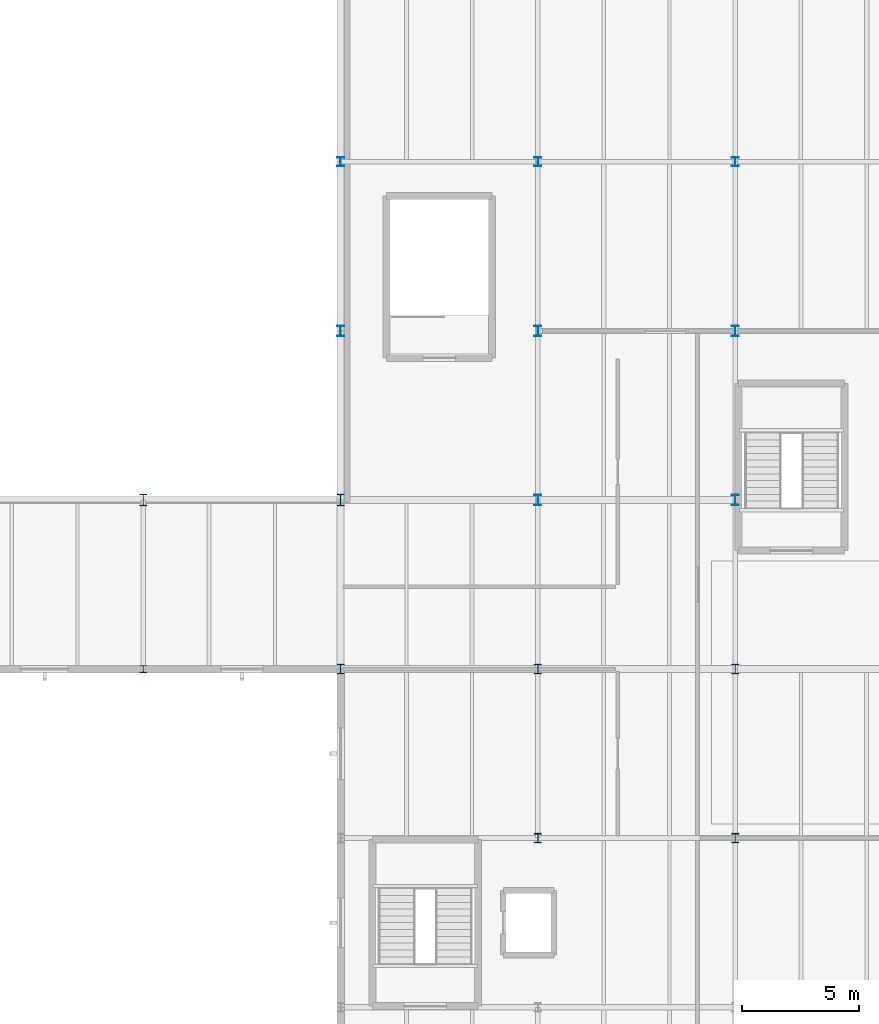
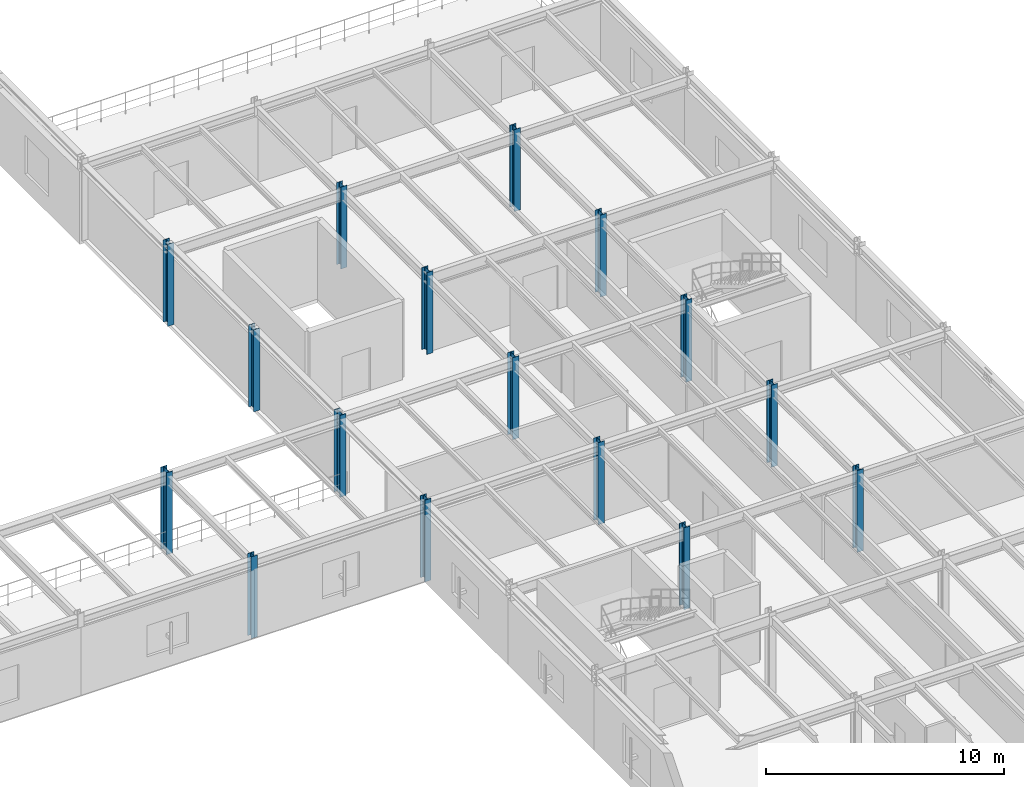
# One storey, part 17 of 109: 16 columns.
"""IFC4 building model written with IfcOpenShell, lengths in metres."""

from ifc_helpers import new_model, si_unit, derived_unit, direction, frame, origin, origin_2d, place, context, subcontext, project, spatial, i_section, extrude, material, material_profile, profile_set, type_object, element, save


model = new_model("IFC4")

# Units and contexts
model_context = context("Model", 3, precision=1e-05, world=origin(), true_north=direction((0.0, 1.0)))
body_context = subcontext(model_context, "Body", "Model", "MODEL_VIEW")
ifc_project = project(units=[si_unit("LENGTHUNIT", "METRE"), si_unit("AREAUNIT", "SQUARE_METRE"), si_unit("VOLUMEUNIT", "CUBIC_METRE"), si_unit("PLANEANGLEUNIT", "RADIAN"), si_unit("MASSUNIT", "GRAM", prefix="KILO"), derived_unit("THERMALTRANSMITTANCEUNIT", [(si_unit("MASSUNIT", "GRAM", prefix="KILO"), 1), (si_unit("TIMEUNIT", "SECOND"), -3), (si_unit("THERMODYNAMICTEMPERATUREUNIT", "KELVIN"), -1)])], contexts=[model_context])

# Site, building, storey
site_placement = place(None, origin())
site = spatial("IfcSite", under=ifc_project, at=site_placement, CompositionType="ELEMENT")
building_placement = place(site_placement, origin())
building = spatial("IfcBuilding", under=site, at=building_placement, Name="Kharveza Railside Sports Centre", CompositionType="ELEMENT")
storey_placement = place(building_placement, frame((0.0, 0.0, 4.5)))
storey = spatial("IfcBuildingStorey", under=building, at=storey_placement, Name="L01", CompositionType="ELEMENT", Elevation=4.5)

# Columns
ifc_material = material(Name="Steel S355J2", Category="steel")
ifc_material_profile_1 = material_profile(ifc_material, i_section(OverallWidth=0.300048828125, OverallDepth=0.5, WebThickness=0.014404296875, FlangeThickness=0.028076171875, FilletRadius=0.027099609375, at=origin_2d()), Name="HEB 500")
ifc_profile_set_1 = profile_set([ifc_material_profile_1], Name="Steel S355J2")
column_type_1 = type_object("IfcColumnType", Name="COL-S03", PredefinedType="COLUMN", material=ifc_profile_set_1)
for number, where, z_axis, x_axis, name in (
    (1, (134.39990234375, 79.199951171875, 0.0), (0.0, 0.0, 1.0), (1.0, 0.0, 0.0), "COL-G-C03-X1344-Y792-L01"),
    (2, (142.800048828125, 79.199951171875, 0.0), (0.0, 0.0, 1.0), (1.0, 0.0, 0.0), "COL-G-C03-X1428-Y792-L01"),
):
    element("IfcColumn", number, at=place(storey_placement, frame(where, z_axis=z_axis, x_axis=x_axis)), inside=storey, type_object=column_type_1, Name=name, PredefinedType="COLUMN", context=body_context, shape_type="SweptSolid", body=[
        extrude(i_section(OverallWidth=0.300048828125, OverallDepth=0.5, WebThickness=0.014404296875, FlangeThickness=0.028076171875, FilletRadius=0.027099609375, at=origin_2d()), origin(), (0.0, 0.0, 1.0), 4.199951171875),
    ])
ifc_material_profile_2 = material_profile(ifc_material, i_section(OverallWidth=0.300048828125, OverallDepth=0.39990234375, WebThickness=0.013427734375, FlangeThickness=0.02392578125, FilletRadius=0.027099609375, at=origin_2d()), Name="HEB 400")
ifc_profile_set_2 = profile_set([ifc_material_profile_2], Name="Steel S355J2")
column_type_2 = type_object("IfcColumnType", Name="COL-S05", PredefinedType="COLUMN", material=ifc_profile_set_2)
for number, where, z_axis, x_axis, name in (
    (3, (142.800048828125, 72.0, 0.0), (0.0, 0.0, 1.0), (1.0, 0.0, 0.0), "COL-G-C05-X1428-Y720-L01"),
    (4, (151.199951171875, 64.800048828125, 0.0), (0.0, 0.0, 1.0), (1.0, 0.0, 0.0), "COL-G-C05-X1512-Y648-L01"),
    (5, (151.199951171875, 72.0, 0.0), (0.0, 0.0, 1.0), (1.0, 0.0, 0.0), "COL-G-C05-X1512-Y720-L01"),
    (6, (159.60009765625, 64.800048828125, 0.0), (0.0, 0.0, 1.0), (1.0, 0.0, 0.0), "COL-G-C05-X1596-Y648-L01"),
    (7, (159.60009765625, 72.0, 0.0), (0.0, 0.0, 1.0), (1.0, 0.0, 0.0), "COL-G-C05-X1596-Y720-L01"),
):
    element("IfcColumn", number, at=place(storey_placement, frame(where, z_axis=z_axis, x_axis=x_axis)), inside=storey, type_object=column_type_2, Name=name, PredefinedType="COLUMN", context=body_context, shape_type="SweptSolid", body=[
        extrude(i_section(OverallWidth=0.300048828125, OverallDepth=0.39990234375, WebThickness=0.013427734375, FlangeThickness=0.02392578125, FilletRadius=0.027099609375, at=origin_2d()), origin(), (0.0, 0.0, 1.0), 4.199951171875),
    ])
ifc_material_profile_3 = material_profile(ifc_material, i_section(OverallWidth=0.300048828125, OverallDepth=0.300048828125, WebThickness=0.010986328125, FlangeThickness=0.01904296875, FilletRadius=0.027099609375, at=origin_2d()), Name="HEB 300")
ifc_profile_set_3 = profile_set([ifc_material_profile_3], Name="Steel S355J2")
column_type_3 = type_object("IfcColumnType", Name="COL-S07", PredefinedType="COLUMN", material=ifc_profile_set_3)
column_placement = place(storey_placement, frame((134.39990234375, 72.0, 0.0), z_axis=(0.0, 0.0, 1.0), x_axis=(1.0, 0.0, 0.0)))
element("IfcColumn", 8, at=column_placement, inside=storey, type_object=column_type_3, Name="COL-G-C07-X1344-Y720-L01", PredefinedType="COLUMN", context=body_context, shape_type="SweptSolid", body=[
    extrude(i_section(OverallWidth=0.300048828125, OverallDepth=0.300048828125, WebThickness=0.010986328125, FlangeThickness=0.01904296875, FilletRadius=0.027099609375, at=origin_2d()), origin(), (0.0, 0.0, 1.0), 4.199951171875),
])
ifc_material_profile_4 = material_profile(ifc_material, i_section(OverallWidth=0.300048828125, OverallDepth=0.43994140625, WebThickness=0.011474609375, FlangeThickness=0.02099609375, FilletRadius=0.027099609375, at=origin_2d()), Name="HEA 450")
ifc_profile_set_4 = profile_set([ifc_material_profile_4], Name="Steel S355J2")
column_type_4 = type_object("IfcColumnType", Name="COL-S09", PredefinedType="COLUMN", material=ifc_profile_set_4)
for number, where, z_axis, x_axis, name in (
    (9, (142.800048828125, 86.39990234375, 0.0), (0.0, 0.0, 1.0), (1.0, 0.0, 0.0), "COL-G-C09-X1428-Y864-L01"),
    (10, (151.199951171875, 79.199951171875, 0.0), (0.0, 0.0, 1.0), (1.0, 0.0, 0.0), "COL-G-C09-X1512-Y792-L01"),
    (11, (151.199951171875, 86.39990234375, 0.0), (0.0, 0.0, 1.0), (1.0, 0.0, 0.0), "COL-G-C09-X1512-Y864-L01"),
    (12, (159.60009765625, 79.199951171875, 0.0), (0.0, 0.0, 1.0), (1.0, 0.0, 0.0), "COL-G-C09-X1596-Y792-L01"),
    (13, (159.60009765625, 86.39990234375, 0.0), (0.0, 0.0, 1.0), (1.0, 0.0, 0.0), "COL-G-C09-X1596-Y864-L01"),
):
    element("IfcColumn", number, at=place(storey_placement, frame(where, z_axis=z_axis, x_axis=x_axis)), inside=storey, type_object=column_type_4, Name=name, PredefinedType="COLUMN", context=body_context, shape_type="SweptSolid", body=[
        extrude(i_section(OverallWidth=0.300048828125, OverallDepth=0.43994140625, WebThickness=0.011474609375, FlangeThickness=0.02099609375, FilletRadius=0.027099609375, at=origin_2d()), origin(), (0.0, 0.0, 1.0), 4.199951171875),
    ])
ifc_material_profile_5 = material_profile(ifc_material, i_section(OverallWidth=0.300048828125, OverallDepth=0.389892578125, WebThickness=0.010986328125, FlangeThickness=0.01904296875, FilletRadius=0.027099609375, at=origin_2d()), Name="HEA 400")
ifc_profile_set_5 = profile_set([ifc_material_profile_5], Name="Steel S355J2")
column_type_5 = type_object("IfcColumnType", Name="COL-S10", PredefinedType="COLUMN", material=ifc_profile_set_5)
for number, where, z_axis, x_axis, name in (
    (14, (142.800048828125, 93.60009765625, 0.0), (0.0, 0.0, 1.0), (1.0, 0.0, 0.0), "COL-G-C10-X1428-Y936-L01"),
    (15, (151.199951171875, 93.60009765625, 0.0), (0.0, 0.0, 1.0), (1.0, 0.0, 0.0), "COL-G-C10-X1512-Y936-L01"),
    (16, (159.60009765625, 93.60009765625, 0.0), (0.0, 0.0, 1.0), (1.0, 0.0, 0.0), "COL-G-C10-X1596-Y936-L01"),
):
    element("IfcColumn", number, at=place(storey_placement, frame(where, z_axis=z_axis, x_axis=x_axis)), inside=storey, type_object=column_type_5, Name=name, PredefinedType="COLUMN", context=body_context, shape_type="SweptSolid", body=[
        extrude(i_section(OverallWidth=0.300048828125, OverallDepth=0.389892578125, WebThickness=0.010986328125, FlangeThickness=0.01904296875, FilletRadius=0.027099609375, at=origin_2d()), origin(), (0.0, 0.0, 1.0), 4.199951171875),
    ])

save(model, "model.ifc")
